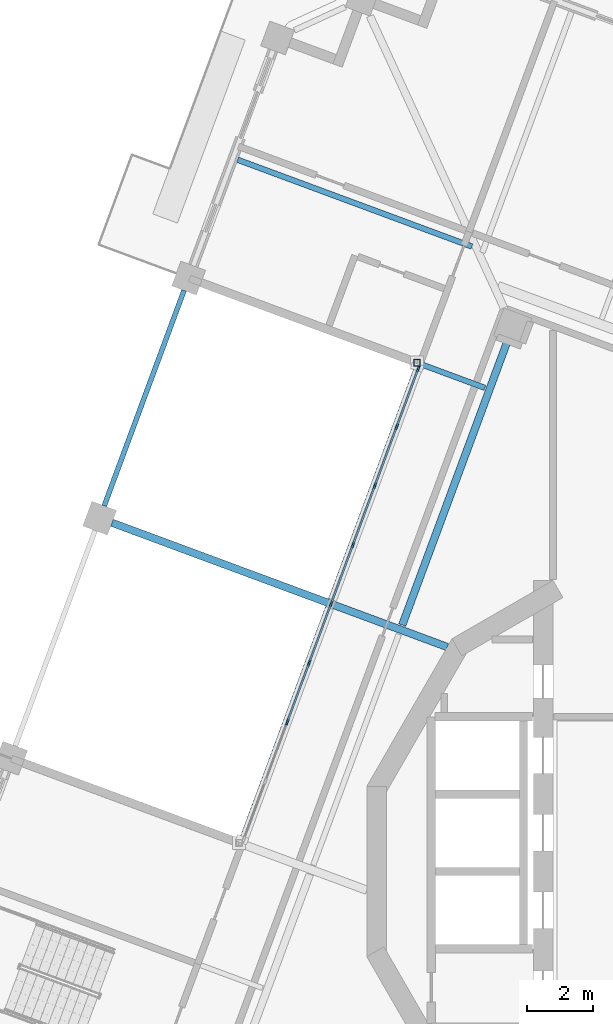
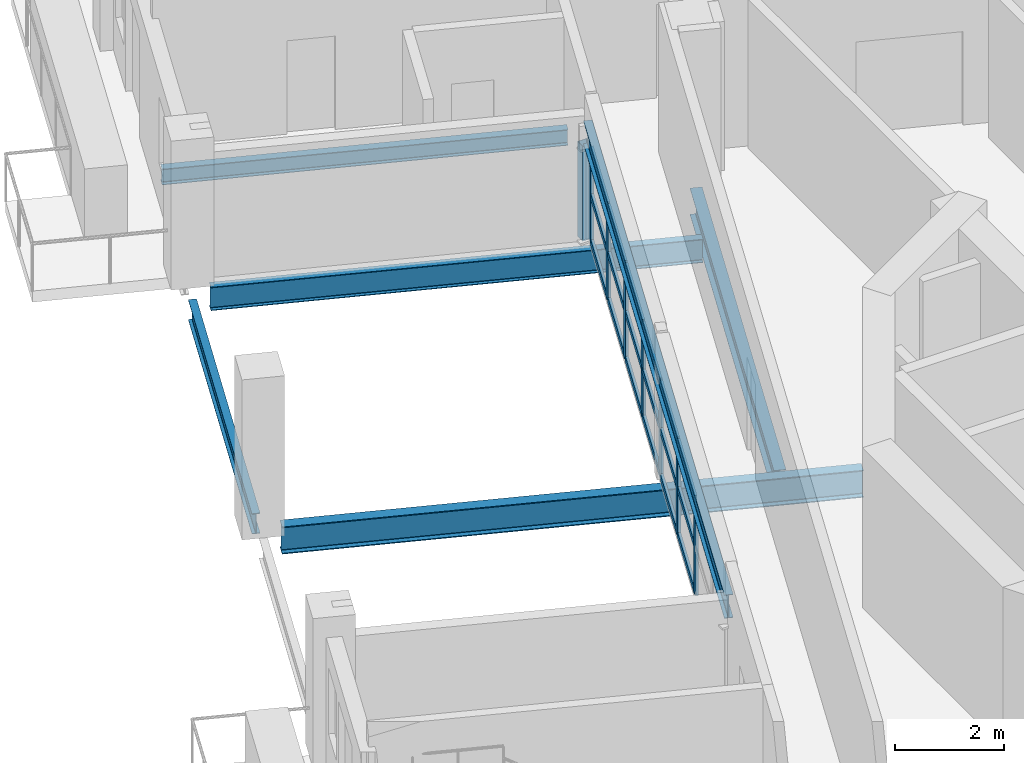
# One storey, part 4 of 20: 26 members, 6 beams, 1 element without a shape of its own.
"""IFC4 building model written with IfcOpenShell, lengths in metres."""

from ifc_helpers import new_model, si_unit, direction, frame, origin, origin_2d, place, context, subcontext, project, spatial, rectangle, hollow_rectangle, i_section, extrude, material, material_profile, profile_set, type_object, element, aggregate, save


model = new_model("IFC4")

# Units and contexts
model_context = context("Model", 3, precision=1e-05, world=origin(), true_north=direction((0.0, 1.0)))
body_context = subcontext(model_context, "Body", "Model", "MODEL_VIEW")
ifc_project = project(units=[si_unit("LENGTHUNIT", "METRE"), si_unit("AREAUNIT", "SQUARE_METRE"), si_unit("VOLUMEUNIT", "CUBIC_METRE"), si_unit("PLANEANGLEUNIT", "RADIAN"), si_unit("MASSUNIT", "GRAM", prefix="KILO")], contexts=[model_context])

# Site, building, storey
site_placement = place(None, origin())
site = spatial("IfcSite", under=ifc_project, at=site_placement, CompositionType="ELEMENT")
building_placement = place(site_placement, origin())
building = spatial("IfcBuilding", under=site, at=building_placement, Name="Cantera Rosa Tower", CompositionType="ELEMENT")
storey_placement = place(building_placement, frame((0.0, 0.0, 309.699951171875)))
storey = spatial("IfcBuildingStorey", under=building, at=storey_placement, Name="L68", CompositionType="ELEMENT", Elevation=309.699951171875)

# Curtain wall, members
ifc_material_1 = material(Name="Aluminium frame with clear glass", Category="aluminium")
curtain_wall_type = type_object("IfcCurtainWallType", Name="CW1 TERRACE POCKET GLAZING", PredefinedType="NOTDEFINED", material=ifc_material_1)
curtain_wall_placement = place(storey_placement, origin())
curtain_wall = element("IfcCurtainWall", 1, at=curtain_wall_placement, inside=storey, type_object=curtain_wall_type, Name="CW1 CW1", PredefinedType="NOTDEFINED")
ifc_material_2 = material(Name="Anodised bronze aluminium", Category="aluminium")
ifc_material_profile_1 = material_profile(ifc_material_2, rectangle(XDim=0.06005859375, YDim=0.179931640625, at=origin_2d()), Name="CW-MULLION 60x180 POCKET")
ifc_profile_set_1 = profile_set([ifc_material_profile_1], Name="Anodised bronze aluminium")
member_type_1 = type_object("IfcMemberType", Name="CW-MULLION 60x180 POCKET", PredefinedType="MULLION", material=ifc_profile_set_1)
member_1_placement = place(storey_placement, frame((-8.094970703125, 15.280029296875, 0.0), z_axis=(0.0, 0.0, 1.0), x_axis=(0.93768693693, -0.347481234472, 0.0)))
member_1 = element("IfcMember", 2, at=member_1_placement, type_object=member_type_1, Name="CW1 mullion 1", PredefinedType="MULLION", context=body_context, shape_type="SweptSolid", body=[
    extrude(rectangle(XDim=0.06005859375, YDim=0.179931640625, at=origin_2d()), origin(), (0.0, 0.0, 1.0), 2.1279296875),
])
member_2_placement = place(storey_placement, frame((-8.74951171875, 13.513671875, 0.0), z_axis=(0.0, 0.0, 1.0), x_axis=(0.93768693693, -0.347481234472, 0.0)))
member_2 = element("IfcMember", 3, at=member_2_placement, type_object=member_type_1, Name="CW1 mullion 2", PredefinedType="MULLION", context=body_context, shape_type="SweptSolid", body=[
    extrude(rectangle(XDim=0.06005859375, YDim=0.179931640625, at=origin_2d()), origin(), (0.0, 0.0, 1.0), 2.1279296875),
])
member_3_placement = place(storey_placement, frame((-9.41455078125, 11.718994140625, 0.0), z_axis=(0.0, 0.0, 1.0), x_axis=(0.93768693693, -0.347481234472, 0.0)))
member_3 = element("IfcMember", 4, at=member_3_placement, type_object=member_type_1, Name="CW1 mullion 3", PredefinedType="MULLION", context=body_context, shape_type="SweptSolid", body=[
    extrude(rectangle(XDim=0.06005859375, YDim=0.179931640625, at=origin_2d()), origin(), (0.0, 0.0, 1.0), 2.1279296875),
])
member_4_placement = place(storey_placement, frame((-10.079345703125, 9.924560546875, 0.0), z_axis=(0.0, 0.0, 1.0), x_axis=(0.93768693693, -0.347481234472, 0.0)))
member_4 = element("IfcMember", 5, at=member_4_placement, type_object=member_type_1, Name="CW1 mullion 4", PredefinedType="MULLION", context=body_context, shape_type="SweptSolid", body=[
    extrude(rectangle(XDim=0.06005859375, YDim=0.179931640625, at=origin_2d()), origin(), (0.0, 0.0, 1.0), 2.1279296875),
])
member_5_placement = place(storey_placement, frame((-10.744384765625, 8.130126953125, 0.0), z_axis=(0.0, 0.0, 1.0), x_axis=(0.93768693693, -0.347481234472, 0.0)))
member_5 = element("IfcMember", 6, at=member_5_placement, type_object=member_type_1, Name="CW1 mullion 5", PredefinedType="MULLION", context=body_context, shape_type="SweptSolid", body=[
    extrude(rectangle(XDim=0.06005859375, YDim=0.179931640625, at=origin_2d()), origin(), (0.0, 0.0, 1.0), 2.1279296875),
])
member_6_placement = place(storey_placement, frame((-11.409423828125, 6.335693359375, 0.0), z_axis=(0.0, 0.0, 1.0), x_axis=(0.93768693693, -0.347481234472, 0.0)))
member_6 = element("IfcMember", 7, at=member_6_placement, type_object=member_type_1, Name="CW1 mullion 6", PredefinedType="MULLION", context=body_context, shape_type="SweptSolid", body=[
    extrude(rectangle(XDim=0.06005859375, YDim=0.179931640625, at=origin_2d()), origin(), (0.0, 0.0, 1.0), 2.1279296875),
])
member_7_placement = place(storey_placement, frame((-12.074462890625, 4.541015625, 0.0), z_axis=(0.0, 0.0, 1.0), x_axis=(0.93768693693, -0.347481234472, 0.0)))
member_7 = element("IfcMember", 8, at=member_7_placement, type_object=member_type_1, Name="CW1 mullion 7", PredefinedType="MULLION", context=body_context, shape_type="SweptSolid", body=[
    extrude(rectangle(XDim=0.06005859375, YDim=0.179931640625, at=origin_2d()), origin(), (0.0, 0.0, 1.0), 2.1279296875),
])
ifc_material_3 = material(Name="Anodised bronze aluminium", Category="aluminium")
ifc_material_profile_2 = material_profile(ifc_material_3, rectangle(XDim=0.06005859375, YDim=0.139892578125, at=origin_2d()), Name="CW-TRANSOM 60x140 POCKET")
ifc_profile_set_2 = profile_set([ifc_material_profile_2], Name="Anodised bronze aluminium")
member_type_2 = type_object("IfcMemberType", Name="CW-TRANSOM 60x140 POCKET", PredefinedType="USERDEFINED", material=ifc_profile_set_2)
member_8_placement = place(storey_placement, frame((-8.105224609375, 15.251953125, 0.030029296875), z_axis=(-0.347497456421, -0.937680925358, 0.0), x_axis=(0.937680925358, -0.347497456421, 0.0)))
member_8 = element("IfcMember", 9, at=member_8_placement, type_object=member_type_2, Name="CW1 transom 1.1", ObjectType="TRANSOM", PredefinedType="USERDEFINED", context=body_context, shape_type="SweptSolid", body=[
    extrude(rectangle(XDim=0.06005859375, YDim=0.139892578125, at=origin_2d()), origin(), (0.0, 0.0, 1.0), 1.823974609375),
])
member_9_placement = place(storey_placement, frame((-8.105224609375, 15.251953125, 1.06396484375), z_axis=(-0.347497456421, -0.937680925358, 0.0), x_axis=(0.937680925358, -0.347497456421, 0.0)))
member_9 = element("IfcMember", 10, at=member_9_placement, type_object=member_type_2, Name="CW1 transom 1.2", ObjectType="TRANSOM", PredefinedType="USERDEFINED", context=body_context, shape_type="SweptSolid", body=[
    extrude(rectangle(XDim=0.06005859375, YDim=0.139892578125, at=origin_2d()), origin(), (0.0, 0.0, 1.0), 1.823974609375),
])
member_10_placement = place(storey_placement, frame((-8.105224609375, 15.251953125, 2.09814453125), z_axis=(-0.347497456421, -0.937680925358, 0.0), x_axis=(0.937680925358, -0.347497456421, 0.0)))
member_10 = element("IfcMember", 11, at=member_10_placement, type_object=member_type_2, Name="CW1 transom 1.3", ObjectType="TRANSOM", PredefinedType="USERDEFINED", context=body_context, shape_type="SweptSolid", body=[
    extrude(rectangle(XDim=0.06005859375, YDim=0.139892578125, at=origin_2d()), origin(), (0.0, 0.0, 1.0), 1.823974609375),
])
member_11_placement = place(storey_placement, frame((-8.760009765625, 13.485595703125, 0.030029296875), z_axis=(-0.347425877782, -0.937707448753, 0.0), x_axis=(0.937707448753, -0.347425877782, 0.0)))
member_11 = element("IfcMember", 12, at=member_11_placement, type_object=member_type_2, Name="CW1 transom 2.1", ObjectType="TRANSOM", PredefinedType="USERDEFINED", context=body_context, shape_type="SweptSolid", body=[
    extrude(rectangle(XDim=0.06005859375, YDim=0.139892578125, at=origin_2d()), origin(), (0.0, 0.0, 1.0), 1.853759765625),
])
member_12_placement = place(storey_placement, frame((-8.760009765625, 13.485595703125, 1.06396484375), z_axis=(-0.347425877782, -0.937707448753, 0.0), x_axis=(0.937707448753, -0.347425877782, 0.0)))
member_12 = element("IfcMember", 13, at=member_12_placement, type_object=member_type_2, Name="CW1 transom 2.2", ObjectType="TRANSOM", PredefinedType="USERDEFINED", context=body_context, shape_type="SweptSolid", body=[
    extrude(rectangle(XDim=0.06005859375, YDim=0.139892578125, at=origin_2d()), origin(), (0.0, 0.0, 1.0), 1.853759765625),
])
member_13_placement = place(storey_placement, frame((-8.760009765625, 13.485595703125, 2.09814453125), z_axis=(-0.347425877782, -0.937707448753, 0.0), x_axis=(0.937707448753, -0.347425877782, 0.0)))
member_13 = element("IfcMember", 14, at=member_13_placement, type_object=member_type_2, Name="CW1 transom 2.3", ObjectType="TRANSOM", PredefinedType="USERDEFINED", context=body_context, shape_type="SweptSolid", body=[
    extrude(rectangle(XDim=0.06005859375, YDim=0.139892578125, at=origin_2d()), origin(), (0.0, 0.0, 1.0), 1.853759765625),
])
member_14_placement = place(storey_placement, frame((-9.4248046875, 11.69091796875, 0.030029296875), z_axis=(-0.347541673446, -0.937664537678, 0.0), x_axis=(0.937664537678, -0.347541673446, 0.0)))
member_14 = element("IfcMember", 15, at=member_14_placement, type_object=member_type_2, Name="CW1 transom 3.1", ObjectType="TRANSOM", PredefinedType="USERDEFINED", context=body_context, shape_type="SweptSolid", body=[
    extrude(rectangle(XDim=0.06005859375, YDim=0.139892578125, at=origin_2d()), origin(), (0.0, 0.0, 1.0), 1.853759765625),
])
member_15_placement = place(storey_placement, frame((-9.4248046875, 11.69091796875, 1.06396484375), z_axis=(-0.347541673446, -0.937664537678, 0.0), x_axis=(0.937664537678, -0.347541673446, 0.0)))
member_15 = element("IfcMember", 16, at=member_15_placement, type_object=member_type_2, Name="CW1 transom 3.2", ObjectType="TRANSOM", PredefinedType="USERDEFINED", context=body_context, shape_type="SweptSolid", body=[
    extrude(rectangle(XDim=0.06005859375, YDim=0.139892578125, at=origin_2d()), origin(), (0.0, 0.0, 1.0), 1.853759765625),
])
member_16_placement = place(storey_placement, frame((-9.4248046875, 11.69091796875, 2.09814453125), z_axis=(-0.347541673446, -0.937664537678, 0.0), x_axis=(0.937664537678, -0.347541673446, 0.0)))
member_16 = element("IfcMember", 17, at=member_16_placement, type_object=member_type_2, Name="CW1 transom 3.3", ObjectType="TRANSOM", PredefinedType="USERDEFINED", context=body_context, shape_type="SweptSolid", body=[
    extrude(rectangle(XDim=0.06005859375, YDim=0.139892578125, at=origin_2d()), origin(), (0.0, 0.0, 1.0), 1.853759765625),
])
member_17_placement = place(storey_placement, frame((-10.08984375, 9.896484375, 0.030029296875), z_axis=(-0.347541673446, -0.937664537678, 0.0), x_axis=(0.937664537678, -0.347541673446, 0.0)))
member_17 = element("IfcMember", 18, at=member_17_placement, type_object=member_type_2, Name="CW1 transom 4.1", ObjectType="TRANSOM", PredefinedType="USERDEFINED", context=body_context, shape_type="SweptSolid", body=[
    extrude(rectangle(XDim=0.06005859375, YDim=0.139892578125, at=origin_2d()), origin(), (0.0, 0.0, 1.0), 1.853759765625),
])
member_18_placement = place(storey_placement, frame((-10.08984375, 9.896484375, 1.06396484375), z_axis=(-0.347541673446, -0.937664537678, 0.0), x_axis=(0.937664537678, -0.347541673446, 0.0)))
member_18 = element("IfcMember", 19, at=member_18_placement, type_object=member_type_2, Name="CW1 transom 4.2", ObjectType="TRANSOM", PredefinedType="USERDEFINED", context=body_context, shape_type="SweptSolid", body=[
    extrude(rectangle(XDim=0.06005859375, YDim=0.139892578125, at=origin_2d()), origin(), (0.0, 0.0, 1.0), 1.853759765625),
])
member_19_placement = place(storey_placement, frame((-10.08984375, 9.896484375, 2.09814453125), z_axis=(-0.347541673446, -0.937664537678, 0.0), x_axis=(0.937664537678, -0.347541673446, 0.0)))
member_19 = element("IfcMember", 20, at=member_19_placement, type_object=member_type_2, Name="CW1 transom 4.3", ObjectType="TRANSOM", PredefinedType="USERDEFINED", context=body_context, shape_type="SweptSolid", body=[
    extrude(rectangle(XDim=0.06005859375, YDim=0.139892578125, at=origin_2d()), origin(), (0.0, 0.0, 1.0), 1.853759765625),
])
member_20_placement = place(storey_placement, frame((-10.7548828125, 8.10205078125, 0.030029296875), z_axis=(-0.347425877782, -0.937707448753, 0.0), x_axis=(0.937707448753, -0.347425877782, 0.0)))
member_20 = element("IfcMember", 21, at=member_20_placement, type_object=member_type_2, Name="CW1 transom 5.1", ObjectType="TRANSOM", PredefinedType="USERDEFINED", context=body_context, shape_type="SweptSolid", body=[
    extrude(rectangle(XDim=0.06005859375, YDim=0.139892578125, at=origin_2d()), origin(), (0.0, 0.0, 1.0), 1.853759765625),
])
member_21_placement = place(storey_placement, frame((-10.7548828125, 8.10205078125, 1.06396484375), z_axis=(-0.347425877782, -0.937707448753, 0.0), x_axis=(0.937707448753, -0.347425877782, 0.0)))
member_21 = element("IfcMember", 22, at=member_21_placement, type_object=member_type_2, Name="CW1 transom 5.2", ObjectType="TRANSOM", PredefinedType="USERDEFINED", context=body_context, shape_type="SweptSolid", body=[
    extrude(rectangle(XDim=0.06005859375, YDim=0.139892578125, at=origin_2d()), origin(), (0.0, 0.0, 1.0), 1.853759765625),
])
member_22_placement = place(storey_placement, frame((-10.7548828125, 8.10205078125, 2.09814453125), z_axis=(-0.347425877782, -0.937707448753, 0.0), x_axis=(0.937707448753, -0.347425877782, 0.0)))
member_22 = element("IfcMember", 23, at=member_22_placement, type_object=member_type_2, Name="CW1 transom 5.3", ObjectType="TRANSOM", PredefinedType="USERDEFINED", context=body_context, shape_type="SweptSolid", body=[
    extrude(rectangle(XDim=0.06005859375, YDim=0.139892578125, at=origin_2d()), origin(), (0.0, 0.0, 1.0), 1.853759765625),
])
member_23_placement = place(storey_placement, frame((-11.419921875, 6.307373046875, 0.030029296875), z_axis=(-0.347468788607, -0.937691548935, 0.0), x_axis=(0.937691548935, -0.347468788607, 0.0)))
member_23 = element("IfcMember", 24, at=member_23_placement, type_object=member_type_2, Name="CW1 transom 6.1", ObjectType="TRANSOM", PredefinedType="USERDEFINED", context=body_context, shape_type="SweptSolid", body=[
    extrude(rectangle(XDim=0.06005859375, YDim=0.139892578125, at=origin_2d()), origin(), (0.0, 0.0, 1.0), 1.853515625),
])
member_24_placement = place(storey_placement, frame((-11.419921875, 6.307373046875, 1.06396484375), z_axis=(-0.347468788607, -0.937691548935, 0.0), x_axis=(0.937691548935, -0.347468788607, 0.0)))
member_24 = element("IfcMember", 25, at=member_24_placement, type_object=member_type_2, Name="CW1 transom 6.2", ObjectType="TRANSOM", PredefinedType="USERDEFINED", context=body_context, shape_type="SweptSolid", body=[
    extrude(rectangle(XDim=0.06005859375, YDim=0.139892578125, at=origin_2d()), origin(), (0.0, 0.0, 1.0), 1.853515625),
])
member_25_placement = place(storey_placement, frame((-11.419921875, 6.307373046875, 2.09814453125), z_axis=(-0.347468788607, -0.937691548935, 0.0), x_axis=(0.937691548935, -0.347468788607, 0.0)))
member_25 = element("IfcMember", 26, at=member_25_placement, type_object=member_type_2, Name="CW1 transom 6.3", ObjectType="TRANSOM", PredefinedType="USERDEFINED", context=body_context, shape_type="SweptSolid", body=[
    extrude(rectangle(XDim=0.06005859375, YDim=0.139892578125, at=origin_2d()), origin(), (0.0, 0.0, 1.0), 1.853515625),
])
aggregate(curtain_wall, [member_1, member_2, member_3, member_4, member_5, member_6, member_7, member_8, member_9, member_10, member_11, member_12, member_13, member_14, member_15, member_16, member_17, member_18, member_19, member_20, member_21, member_22, member_23, member_24, member_25])

# Member
ifc_material_4 = material(Name="Steel ASTM A992 (Fy 345 MPa)", Category="steel")
ifc_material_profile_3 = material_profile(ifc_material_4, hollow_rectangle(XDim=0.199951171875, YDim=0.199951171875, WallThickness=0.010009765625, at=origin_2d()), Name="LINTEL POST RHS 200x200x10")
ifc_profile_set_3 = profile_set([ifc_material_profile_3], Name="Steel ASTM A992 (Fy 345 MPa)")
member_type_3 = type_object("IfcMemberType", Name="LINTEL POST RHS 200x200x10", PredefinedType="USERDEFINED", material=ifc_profile_set_3)
member_26_placement = place(storey_placement, frame((-8.134765625, 15.460205078125, 0.0), z_axis=(0.0, 0.0, 1.0), x_axis=(1.0, 0.0, 0.0)))
element("IfcMember", 27, at=member_26_placement, inside=storey, type_object=member_type_3, Name="LINTEL POST L68-1", ObjectType="LINTEL POST", PredefinedType="USERDEFINED", context=body_context, shape_type="SweptSolid", body=[
    extrude(hollow_rectangle(XDim=0.199951171875, YDim=0.199951171875, WallThickness=0.010009765625, at=origin_2d()), origin(), (0.0, 0.0, 1.0), 2.130126953125),
])

# Beams
ifc_material_5 = material(Name="Steel ASTM A992 (Fy 345 MPa)", Category="steel")
ifc_material_profile_4 = material_profile(ifc_material_5, i_section(OverallWidth=0.166015625, OverallDepth=0.528076171875, WebThickness=0.009765625, FlangeThickness=0.013671875, FilletRadius=0.0126953125, at=origin_2d()), Name="W530X74")
ifc_profile_set_4 = profile_set([ifc_material_profile_4], Name="Steel ASTM A992 (Fy 345 MPa)")
beam_type_1 = type_object("IfcBeamType", Name="STEEL BEAM W530X74", PredefinedType="BEAM", material=ifc_profile_set_4)
beam_1_placement = place(storey_placement, frame((-14.69873046875, 17.892333984375, -0.513916015625), z_axis=(0.937688566, -0.347476838353, 0.0), x_axis=(0.347476838353, 0.937688566, 0.0)))
element("IfcBeam", 28, at=beam_1_placement, inside=storey, type_object=beam_type_1, Name="G-Z6-04 L68", PredefinedType="BEAM", context=body_context, shape_type="SweptSolid", body=[
    extrude(i_section(OverallWidth=0.166015625, OverallDepth=0.528076171875, WebThickness=0.009765625, FlangeThickness=0.013671875, FilletRadius=0.0126953125, at=origin_2d()), origin(), (0.0, 0.0, 1.0), 9.199951171875),
])
beam_2_placement = place(storey_placement, frame((-8.105224609375, 15.395751953125, 2.39404296875), z_axis=(-0.347483050197, -0.93768626407, 0.0), x_axis=(0.93768626407, -0.347483050197, 0.0)))
element("IfcBeam", 29, at=beam_2_placement, inside=storey, type_object=beam_type_1, Name="LINTEL SL-L68", PredefinedType="BEAM", context=body_context, shape_type="SweptSolid", body=[
    extrude(i_section(OverallWidth=0.166015625, OverallDepth=0.528076171875, WebThickness=0.009765625, FlangeThickness=0.013671875, FilletRadius=0.0126953125, at=origin_2d()), origin(), (0.0, 0.0, 1.0), 15.4599609375),
])
ifc_material_6 = material(Name="Steel ASTM A992 (Fy 345 MPa)", Category="steel")
ifc_material_profile_5 = material_profile(ifc_material_6, i_section(OverallWidth=0.22802734375, OverallDepth=0.60205078125, WebThickness=0.010498046875, FlangeThickness=0.014892578125, FilletRadius=0.0126953125, at=origin_2d()), Name="W610X101")
ifc_profile_set_5 = profile_set([ifc_material_profile_5], Name="Steel ASTM A992 (Fy 345 MPa)")
beam_type_2 = type_object("IfcBeamType", Name="STEEL BEAM W610X101", PredefinedType="BEAM", material=ifc_profile_set_5)
beam_3_placement = place(storey_placement, frame((-8.58251953125, 7.489013671875, -0.551025390625), z_axis=(0.347474937304, 0.937689270465, 0.0), x_axis=(-0.937689270465, 0.347474937304, 0.0)))
element("IfcBeam", 30, at=beam_3_placement, inside=storey, type_object=beam_type_2, Name="RB-Z6-03 L68", PredefinedType="BEAM", context=body_context, shape_type="SweptSolid", body=[
    extrude(i_section(OverallWidth=0.22802734375, OverallDepth=0.60205078125, WebThickness=0.010498046875, FlangeThickness=0.014892578125, FilletRadius=0.0126953125, at=origin_2d()), origin(), (0.0, 0.0, 1.0), 9.2099609375),
])
ifc_material_7 = material(Name="Steel ASTM A992 (Fy 345 MPa)", Category="steel")
ifc_material_profile_6 = material_profile(ifc_material_7, i_section(OverallWidth=0.22900390625, OverallDepth=0.612060546875, WebThickness=0.011962890625, FlangeThickness=0.01953125, FilletRadius=0.0126953125, at=origin_2d()), Name="W610X125")
ifc_profile_set_6 = profile_set([ifc_material_profile_6], Name="Steel ASTM A992 (Fy 345 MPa)")
beam_type_3 = type_object("IfcBeamType", Name="STEEL BEAM W610X125", PredefinedType="BEAM", material=ifc_profile_set_6)
beam_4_placement = place(storey_placement, frame((-17.402099609375, 10.59716796875, -0.555908203125), z_axis=(0.937686127687, -0.347483418229, 0.0), x_axis=(0.347483418229, 0.937686127687, 0.0)))
element("IfcBeam", 31, at=beam_4_placement, inside=storey, type_object=beam_type_3, Name="G-Z6-05 L68", PredefinedType="BEAM", context=body_context, shape_type="SweptSolid", body=[
    extrude(i_section(OverallWidth=0.22900390625, OverallDepth=0.612060546875, WebThickness=0.011962890625, FlangeThickness=0.01953125, FilletRadius=0.0126953125, at=origin_2d()), origin(), (0.0, 0.0, 1.0), 10.8642578125),
])
ifc_material_8 = material(Name="Steel ASTM A992 (Fy 345 MPa)", Category="steel")
ifc_material_profile_7 = material_profile(ifc_material_8, i_section(OverallWidth=0.1708984375, OverallDepth=0.35595703125, WebThickness=0.00732421875, FlangeThickness=0.01171875, FilletRadius=0.010009765625, at=origin_2d()), Name="W360X51")
ifc_profile_set_7 = profile_set([ifc_material_profile_7], Name="Steel ASTM A992 (Fy 345 MPa)")
beam_type_4 = type_object("IfcBeamType", Name="STEEL JOIST W360X51", PredefinedType="JOIST", material=ifc_profile_set_7)
beam_5_placement = place(storey_placement, frame((-13.581298828125, 21.626953125, -0.427978515625), z_axis=(0.93768239316, -0.347493495705, 0.0), x_axis=(0.347493495705, 0.93768239316, 0.0)))
element("IfcBeam", 32, at=beam_5_placement, inside=storey, type_object=beam_type_4, Name="B-Z6-05 L68", PredefinedType="JOIST", context=body_context, shape_type="SweptSolid", body=[
    extrude(i_section(OverallWidth=0.1708984375, OverallDepth=0.35595703125, WebThickness=0.00732421875, FlangeThickness=0.01171875, FilletRadius=0.010009765625, at=origin_2d()), origin(), (0.0, 0.0, 1.0), 7.58984375),
])
ifc_material_9 = material(Name="Steel ASTM A992 (Fy 345 MPa)", Category="steel")
ifc_material_profile_8 = material_profile(ifc_material_9, i_section(OverallWidth=0.154052734375, OverallDepth=0.4599609375, WebThickness=0.009033203125, FlangeThickness=0.015380859375, FilletRadius=0.01025390625, at=origin_2d()), Name="W460X68")
ifc_profile_set_8 = profile_set([ifc_material_profile_8], Name="Steel ASTM A992 (Fy 345 MPa)")
beam_type_5 = type_object("IfcBeamType", Name="STEEL SPANDREL BEAM W460X68", PredefinedType="SPANDREL", material=ifc_profile_set_8)
beam_6_placement = place(storey_placement, frame((-15.212646484375, 17.65625, -0.47998046875), z_axis=(-0.347502316452, -0.937679124253, 0.0), x_axis=(0.937679124253, -0.347502316452, 0.0)))
element("IfcBeam", 33, at=beam_6_placement, inside=storey, type_object=beam_type_5, Name="EB-Z6-08 L68", PredefinedType="SPANDREL", context=body_context, shape_type="SweptSolid", body=[
    extrude(i_section(OverallWidth=0.154052734375, OverallDepth=0.4599609375, WebThickness=0.009033203125, FlangeThickness=0.015380859375, FilletRadius=0.01025390625, at=origin_2d()), origin(), (0.0, 0.0, 1.0), 6.97998046875),
])

save(model, "model.ifc")
